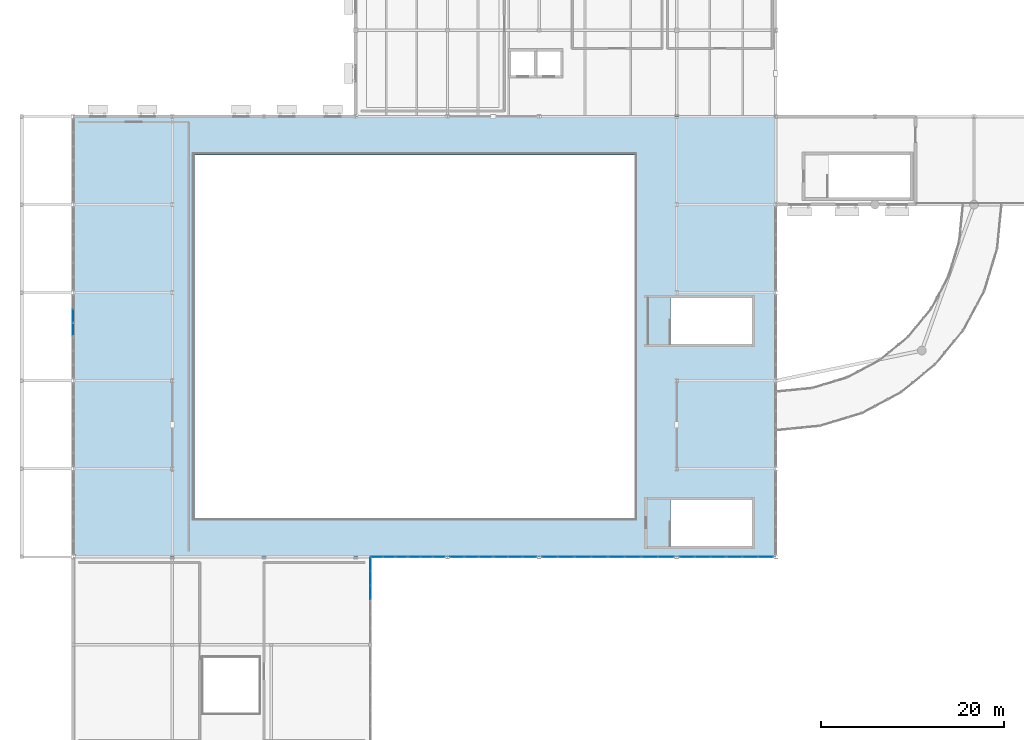
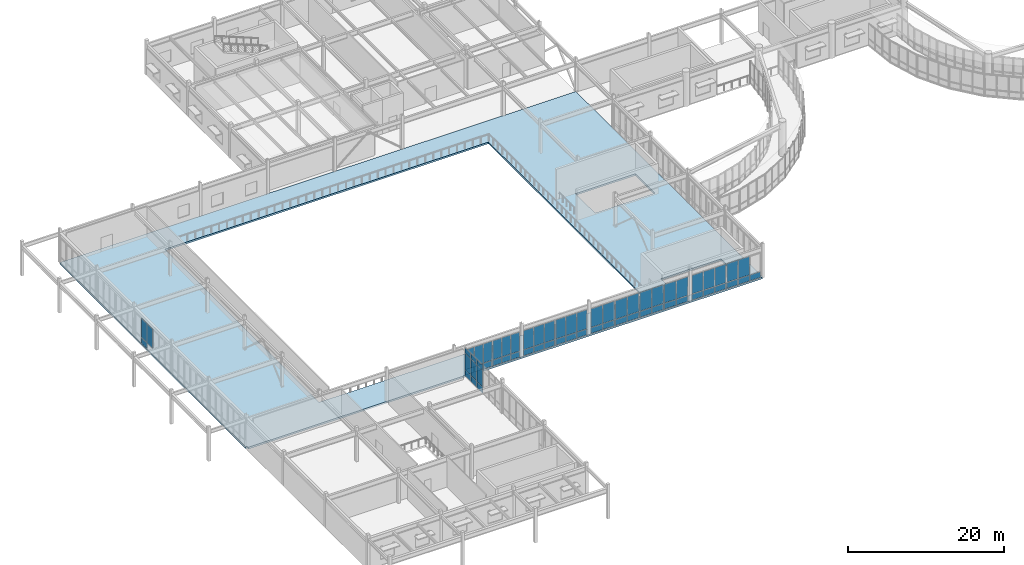
# One storey, part 34 of 68: 63 plates, 1 slab, 12 elements without a shape of their own.
"""IFC4 building model written with IfcOpenShell, lengths in metres."""

import ifcopenshell
import ifcopenshell.guid

model = None  # the IFC model being written
_history = None  # IfcOwnerHistory: only IFC2X3 demands one
_inside = {}  # id of a spatial element -> (the spatial element, [elements in it])
_under = {}  # id of a project, library or spatial element -> (it, [spatial elements below it])
_declared = {}  # id of a project -> (the project, [libraries it declares])
_typed = {}  # id of a type object -> (the type object, [elements of that type])
_made_of = {}  # id of a material, layer set ... -> (it, [elements and type objects made of it])


def new_model(schema):
    """Start an empty IFC model of exactly this schema.

    Asked for "IFC4X3", IfcOpenShell would pick the latest addendum, in which some entities
    have other attributes; the version numbers below select the first issue.
    IFC2X3 requires an IfcOwnerHistory on every rooted entity: one is made here for all.
    """
    global model, _history
    if schema == "IFC4X3":
        model = ifcopenshell.file(schema_version=(4, 3, 0, 0))
    else:
        model = ifcopenshell.file(schema=schema)
    _inside.clear()
    _under.clear()
    _declared.clear()
    _typed.clear()
    _made_of.clear()
    _history = None
    if model.schema == "IFC2X3":
        org = make("IfcOrganization", Name="unknown")
        user = make(
            "IfcPersonAndOrganization",
            ThePerson=make("IfcPerson", FamilyName="unknown"),
            TheOrganization=org,
        )
        app = make(
            "IfcApplication",
            ApplicationDeveloper=org,
            Version="unknown",
            ApplicationFullName="unknown",
            ApplicationIdentifier="unknown",
        )
        _history = make(
            "IfcOwnerHistory",
            OwningUser=user,
            OwningApplication=app,
            ChangeAction="ADDED",
            CreationDate=0,
        )
    return model


def make(cls, **values):
    """One entity of the class cls with the attributes given. An attribute that is None is left unset."""
    return model.create_entity(
        cls, **{name: value for name, value in values.items() if value is not None}
    )


def rooted(cls, **values):
    """An entity with a GlobalId (a new one), such as an element, a storey or a relation."""
    return make(cls, GlobalId=ifcopenshell.guid.new(), OwnerHistory=_history, **values)


def si_unit(unit_type, name, prefix=None):
    """IfcSIUnit, for example si_unit("LENGTHUNIT", "METRE", prefix="MILLI")."""
    return make("IfcSIUnit", UnitType=unit_type, Prefix=prefix, Name=name)


def assignment(units):
    """IfcUnitAssignment: the units of a project."""
    return None if units is None else make("IfcUnitAssignment", Units=units)


def point(xyz):
    """IfcCartesianPoint."""
    return None if xyz is None else make("IfcCartesianPoint", Coordinates=xyz)


def direction(xyz):
    """IfcDirection."""
    return None if xyz is None else make("IfcDirection", DirectionRatios=xyz)


def frame(location, z_axis=None, x_axis=None):
    """IfcAxis2Placement3D, a coordinate frame: its origin and axes. An axis left out is left unset."""
    return make(
        "IfcAxis2Placement3D",
        Location=point(location),
        Axis=direction(z_axis),
        RefDirection=direction(x_axis),
    )


def frame_2d(location, x_axis=None):
    """IfcAxis2Placement2D, a coordinate frame in the plane: its origin and x axis."""
    return make(
        "IfcAxis2Placement2D", Location=point(location), RefDirection=direction(x_axis)
    )


def origin():
    """The frame at (0, 0, 0) with its axes left unset."""
    return frame((0.0, 0.0, 0.0))


def origin_2d():
    """The frame at (0, 0) in the plane with its x axis left unset."""
    return frame_2d((0.0, 0.0))


def place(relative_to, where):
    """IfcLocalPlacement: puts the frame where relative to a parent placement (None: the world)."""
    return make(
        "IfcLocalPlacement", PlacementRelTo=relative_to, RelativePlacement=where
    )


def context(
    kind, dimensions, precision=None, world=None, true_north=None, identifier=None
):
    """IfcGeometricRepresentationContext, for example the 3D "Model" context."""
    return make(
        "IfcGeometricRepresentationContext",
        ContextIdentifier=identifier,
        ContextType=kind,
        CoordinateSpaceDimension=dimensions,
        Precision=precision,
        WorldCoordinateSystem=world,
        TrueNorth=true_north,
    )


def subcontext(parent, identifier, kind, view, scale=None):
    """IfcGeometricRepresentationSubContext, for example "Body" below "Model"."""
    return make(
        "IfcGeometricRepresentationSubContext",
        ContextIdentifier=identifier,
        ContextType=kind,
        ParentContext=parent,
        TargetScale=scale,
        TargetView=view,
    )


def project(units=None, contexts=None):
    """IfcProject with its units and contexts."""
    return rooted(
        "IfcProject",
        Name="project",
        RepresentationContexts=contexts,
        UnitsInContext=assignment(units),
    )


def spatial(cls, under=None, at=None, **own):
    """A site, building, storey or space (cls), placed at a placement, below another one or the project."""
    s = rooted(cls, ObjectPlacement=at, **own)
    if under is not None:
        _under.setdefault(under.id(), (under, []))[1].append(s)
    return s


def polyline(points):
    """IfcPolyline through the points."""
    return make("IfcPolyline", Points=[point(p) for p in points])


def profile(cls, at=None, kind="AREA", **sizes):
    """A parametric profile (cls). Its sizes go by their IFC names, for example OverallWidth=200.0."""
    return make(cls, ProfileType=kind, Position=at, **sizes)


def rectangle(**sizes):
    """IfcRectangleProfileDef."""
    return profile("IfcRectangleProfileDef", **sizes)


def outline(outer, holes=None, kind="AREA"):
    """IfcArbitraryClosedProfileDef: a profile drawn as a closed curve; with holes, ...WithVoids."""
    if holes is None:
        return make("IfcArbitraryClosedProfileDef", ProfileType=kind, OuterCurve=outer)
    return make(
        "IfcArbitraryProfileDefWithVoids",
        ProfileType=kind,
        OuterCurve=outer,
        InnerCurves=holes,
    )


def extrude(swept, where, along, depth):
    """IfcExtrudedAreaSolid: the profile swept, set in the frame where, extruded along a direction by depth."""
    return make(
        "IfcExtrudedAreaSolid",
        SweptArea=swept,
        Position=where,
        ExtrudedDirection=direction(along),
        Depth=depth,
    )


def shape(context_of_items, identifier, shape_type, items):
    """IfcShapeRepresentation: the items that make up one representation, for example the "Body"."""
    return make(
        "IfcShapeRepresentation",
        ContextOfItems=context_of_items,
        RepresentationIdentifier=identifier,
        RepresentationType=shape_type,
        Items=items,
    )


def material(Name=None, Category=None):
    """IfcMaterial."""
    return make("IfcMaterial", Name=Name, Category=Category)


def layer(
    of_material, thickness, ventilated=None, Name=None, Category=None, Priority=None
):
    """IfcMaterialLayer: one layer of a wall or slab, of a material (None: an air gap)."""
    return make(
        "IfcMaterialLayer",
        Material=of_material,
        LayerThickness=thickness,
        IsVentilated=ventilated,
        Name=Name,
        Category=Category,
        Priority=Priority,
    )


def layer_set(layers, Name=None):
    """IfcMaterialLayerSet."""
    return make("IfcMaterialLayerSet", MaterialLayers=layers, LayerSetName=Name)


def made_of(thing, what):
    """Note that an element or type object is made of a material, layer set ...; save() writes the relation."""
    if what is not None:
        _made_of.setdefault(what.id(), (what, []))[1].append(thing)
    return thing


def type_object(cls, material=None, **own):
    """A type object (cls), such as IfcWallType, which elements share."""
    return made_of(rooted(cls, **own), material)


def element(
    cls,
    number,
    at=None,
    inside=None,
    cuts=None,
    type_object=None,
    material=None,
    context=None,
    identifier="Body",
    shape_type=None,
    held_by="IfcProductDefinitionShape",
    body=None,
    shapes=None,
    **own,
):
    """One element of the class cls, such as IfcWall. Its Tag is "e" and its number.

    at: its placement. inside: the storey or other place that contains it. cuts: it is an
    opening in that element (IfcRelVoidsElement). A single representation is given by context,
    identifier, shape_type and body (its items); several are given by shapes. held_by: the class
    of the entity that holds the representations. save() writes the other relations.
    """
    e = rooted(cls, Tag="e%d" % number, ObjectPlacement=at, **own)
    if body is not None:
        shapes = [shape(context, identifier, shape_type, body)]
    if shapes is not None:
        e.Representation = make(held_by, Representations=shapes)
    if inside is not None:
        _inside.setdefault(inside.id(), (inside, []))[1].append(e)
    if cuts is not None:
        rooted(
            "IfcRelVoidsElement", RelatingBuildingElement=cuts, RelatedOpeningElement=e
        )
    if type_object is not None:
        _typed.setdefault(type_object.id(), (type_object, []))[1].append(e)
    return made_of(e, material)


def aggregate(whole, parts):
    """IfcRelAggregates: a whole, such as a stair, and the parts it consists of."""
    return rooted("IfcRelAggregates", RelatingObject=whole, RelatedObjects=parts)


def save(model, path):
    """Write the relations noted so far, then the file.

    IfcRelAggregates (storeys below a building ...), IfcRelContainedInSpatialStructure (elements
    in a storey), IfcRelDefinesByType, IfcRelAssociatesMaterial and IfcRelDeclares: one each for
    every whole, place, type object, material and project.
    """
    for whole, parts in _under.values():
        aggregate(whole, parts)
    for where, things in _inside.values():
        rooted(
            "IfcRelContainedInSpatialStructure",
            RelatedElements=things,
            RelatingStructure=where,
        )
    for kind, things in _typed.values():
        rooted("IfcRelDefinesByType", RelatedObjects=things, RelatingType=kind)
    for what, things in _made_of.values():
        rooted("IfcRelAssociatesMaterial", RelatedObjects=things, RelatingMaterial=what)
    for by, libraries in _declared.values():
        rooted("IfcRelDeclares", RelatingContext=by, RelatedDefinitions=libraries)
    model.write(path)


model = new_model("IFC4")

# Units and contexts
model_context = context("Model", 3, precision=1e-05, world=origin(), true_north=direction((0.0, 1.0)))
body_context = subcontext(model_context, "Body", "Model", "MODEL_VIEW")
ifc_project = project(units=[si_unit("LENGTHUNIT", "METRE"), si_unit("AREAUNIT", "SQUARE_METRE"), si_unit("VOLUMEUNIT", "CUBIC_METRE"), si_unit("PLANEANGLEUNIT", "RADIAN"), si_unit("MASSUNIT", "GRAM", prefix="KILO")], contexts=[model_context])

# Site, building, storey
site_placement = place(None, origin())
site = spatial("IfcSite", under=ifc_project, at=site_placement, CompositionType="ELEMENT")
building_placement = place(site_placement, origin())
building = spatial("IfcBuilding", under=site, at=building_placement, Name="Veldera Park Congress Hotel", CompositionType="ELEMENT")
storey_placement = place(building_placement, frame((0.0, 0.0, 10.800048828125)))
storey = spatial("IfcBuildingStorey", under=building, at=storey_placement, Name="L02", CompositionType="ELEMENT", Elevation=10.800048828125)

# Curtain wall, plates
ifc_material_1 = material(Name="Low-E Triple Insulating Glass Unit (SHGC 0.22)", Category="glass")
curtain_wall_type_1 = type_object("IfcCurtainWallType", Name="CW-CNG", PredefinedType="NOTDEFINED", material=ifc_material_1)
curtain_wall_1_placement = place(storey_placement, origin())
curtain_wall_1 = element("IfcCurtainWall", 1, at=curtain_wall_1_placement, inside=storey, type_object=curtain_wall_type_1, Name="L02 Curtain Wall CW3-V1S-L02-055", PredefinedType="NOTDEFINED")
ifc_layer_1 = layer(ifc_material_1, 0.028076171875)
ifc_layer_set_1 = layer_set([ifc_layer_1], Name="Low-E Triple Insulating Glass Unit (SHGC 0.22)")
plate_type_1 = type_object("IfcPlateType", Name="CWP-IGU28", PredefinedType="CURTAIN_PANEL", material=ifc_layer_set_1)
plate_1_placement = place(storey_placement, frame((-45.08984375, -21.0, 0.0751953125), z_axis=(0.0, 0.0, 1.0), x_axis=(1.0, 0.0, 0.0)))
plate_1 = element("IfcPlate", 2, at=plate_1_placement, type_object=plate_type_1, Name="CW-CNG panel 1.1", PredefinedType="CURTAIN_PANEL", context=body_context, shape_type="SweptSolid", body=[
    extrude(rectangle(XDim=1.240478515625, YDim=0.028076171875, at=origin_2d()), origin(), (0.0, 0.0, 1.0), 0.887451171875),
])
plate_2_placement = place(storey_placement, frame((-45.08984375, -21.0, 1.03759765625), z_axis=(0.0, 0.0, 1.0), x_axis=(1.0, 0.0, 0.0)))
plate_2 = element("IfcPlate", 3, at=plate_2_placement, type_object=plate_type_1, Name="CW-CNG panel 1.2", PredefinedType="CURTAIN_PANEL", context=body_context, shape_type="SweptSolid", body=[
    extrude(rectangle(XDim=1.240478515625, YDim=0.028076171875, at=origin_2d()), origin(), (0.0, 0.0, 1.0), 2.9814453125),
])
plate_3_placement = place(storey_placement, frame((-43.755615234375, -21.0, 0.0751953125), z_axis=(0.0, 0.0, 1.0), x_axis=(1.0, 0.0, 0.0)))
plate_3 = element("IfcPlate", 4, at=plate_3_placement, type_object=plate_type_1, Name="CW-CNG panel 2.1", PredefinedType="CURTAIN_PANEL", context=body_context, shape_type="SweptSolid", body=[
    extrude(rectangle(XDim=1.278076171875, YDim=0.028076171875, at=origin_2d()), origin(), (0.0, 0.0, 1.0), 0.887451171875),
])
plate_4_placement = place(storey_placement, frame((-43.755615234375, -21.0, 1.03759765625), z_axis=(0.0, 0.0, 1.0), x_axis=(1.0, 0.0, 0.0)))
plate_4 = element("IfcPlate", 5, at=plate_4_placement, type_object=plate_type_1, Name="CW-CNG panel 2.2", PredefinedType="CURTAIN_PANEL", context=body_context, shape_type="SweptSolid", body=[
    extrude(rectangle(XDim=1.278076171875, YDim=0.028076171875, at=origin_2d()), origin(), (0.0, 0.0, 1.0), 2.9814453125),
])
plate_5_placement = place(storey_placement, frame((-42.421142578125, -21.0, 0.0751953125), z_axis=(0.0, 0.0, 1.0), x_axis=(1.0, 0.0, 0.0)))
plate_5 = element("IfcPlate", 6, at=plate_5_placement, type_object=plate_type_1, Name="CW-CNG panel 3.1", PredefinedType="CURTAIN_PANEL", context=body_context, shape_type="SweptSolid", body=[
    extrude(rectangle(XDim=1.240478515625, YDim=0.028076171875, at=origin_2d()), origin(), (0.0, 0.0, 1.0), 0.887451171875),
])
plate_6_placement = place(storey_placement, frame((-42.421142578125, -21.0, 1.03759765625), z_axis=(0.0, 0.0, 1.0), x_axis=(1.0, 0.0, 0.0)))
plate_6 = element("IfcPlate", 7, at=plate_6_placement, type_object=plate_type_1, Name="CW-CNG panel 3.2", PredefinedType="CURTAIN_PANEL", context=body_context, shape_type="SweptSolid", body=[
    extrude(rectangle(XDim=1.240478515625, YDim=0.028076171875, at=origin_2d()), origin(), (0.0, 0.0, 1.0), 2.9814453125),
])
aggregate(curtain_wall_1, [plate_1, plate_2, plate_3, plate_4, plate_5, plate_6])

curtain_wall_2_placement = place(storey_placement, origin())
curtain_wall_2 = element("IfcCurtainWall", 8, at=curtain_wall_2_placement, inside=storey, type_object=curtain_wall_type_1, Name="L02 Curtain Wall CW3-V1S-L02-056", PredefinedType="NOTDEFINED")
plate_7_placement = place(storey_placement, frame((-41.000732421875, -21.0, 0.0751953125), z_axis=(0.0, 0.0, 1.0), x_axis=(1.0, 0.0, 0.0)))
plate_7 = element("IfcPlate", 9, at=plate_7_placement, type_object=plate_type_1, Name="CW-CNG panel 1.1", PredefinedType="CURTAIN_PANEL", context=body_context, shape_type="SweptSolid", body=[
    extrude(rectangle(XDim=1.240478515625, YDim=0.028076171875, at=origin_2d()), origin(), (0.0, 0.0, 1.0), 0.887451171875),
])
plate_8_placement = place(storey_placement, frame((-41.000732421875, -21.0, 1.03759765625), z_axis=(0.0, 0.0, 1.0), x_axis=(1.0, 0.0, 0.0)))
plate_8 = element("IfcPlate", 10, at=plate_8_placement, type_object=plate_type_1, Name="CW-CNG panel 1.2", PredefinedType="CURTAIN_PANEL", context=body_context, shape_type="SweptSolid", body=[
    extrude(rectangle(XDim=1.240478515625, YDim=0.028076171875, at=origin_2d()), origin(), (0.0, 0.0, 1.0), 2.9814453125),
])
plate_9_placement = place(storey_placement, frame((-39.66650390625, -21.0, 0.0751953125), z_axis=(0.0, 0.0, 1.0), x_axis=(1.0, 0.0, 0.0)))
plate_9 = element("IfcPlate", 11, at=plate_9_placement, type_object=plate_type_1, Name="CW-CNG panel 2.1", PredefinedType="CURTAIN_PANEL", context=body_context, shape_type="SweptSolid", body=[
    extrude(rectangle(XDim=1.278076171875, YDim=0.028076171875, at=origin_2d()), origin(), (0.0, 0.0, 1.0), 0.887451171875),
])
plate_10_placement = place(storey_placement, frame((-39.66650390625, -21.0, 1.03759765625), z_axis=(0.0, 0.0, 1.0), x_axis=(1.0, 0.0, 0.0)))
plate_10 = element("IfcPlate", 12, at=plate_10_placement, type_object=plate_type_1, Name="CW-CNG panel 2.2", PredefinedType="CURTAIN_PANEL", context=body_context, shape_type="SweptSolid", body=[
    extrude(rectangle(XDim=1.278076171875, YDim=0.028076171875, at=origin_2d()), origin(), (0.0, 0.0, 1.0), 2.9814453125),
])
plate_11_placement = place(storey_placement, frame((-38.332275390625, -21.0, 0.0751953125), z_axis=(0.0, 0.0, 1.0), x_axis=(1.0, 0.0, 0.0)))
plate_11 = element("IfcPlate", 13, at=plate_11_placement, type_object=plate_type_1, Name="CW-CNG panel 3.1", PredefinedType="CURTAIN_PANEL", context=body_context, shape_type="SweptSolid", body=[
    extrude(rectangle(XDim=1.240478515625, YDim=0.028076171875, at=origin_2d()), origin(), (0.0, 0.0, 1.0), 0.887451171875),
])
plate_12_placement = place(storey_placement, frame((-38.332275390625, -21.0, 1.03759765625), z_axis=(0.0, 0.0, 1.0), x_axis=(1.0, 0.0, 0.0)))
plate_12 = element("IfcPlate", 14, at=plate_12_placement, type_object=plate_type_1, Name="CW-CNG panel 3.2", PredefinedType="CURTAIN_PANEL", context=body_context, shape_type="SweptSolid", body=[
    extrude(rectangle(XDim=1.240478515625, YDim=0.028076171875, at=origin_2d()), origin(), (0.0, 0.0, 1.0), 2.9814453125),
])
aggregate(curtain_wall_2, [plate_7, plate_8, plate_9, plate_10, plate_11, plate_12])

curtain_wall_3_placement = place(storey_placement, origin())
curtain_wall_3 = element("IfcCurtainWall", 15, at=curtain_wall_3_placement, inside=storey, type_object=curtain_wall_type_1, Name="L02 Curtain Wall CW3-V1S-L02-057", PredefinedType="NOTDEFINED")
plate_13_placement = place(storey_placement, frame((-36.35302734375, -21.0, 0.0751953125), z_axis=(0.0, 0.0, 1.0), x_axis=(1.0, 0.0, 0.0)))
plate_13 = element("IfcPlate", 16, at=plate_13_placement, type_object=plate_type_1, Name="CW-CNG panel 1.1", PredefinedType="CURTAIN_PANEL", context=body_context, shape_type="SweptSolid", body=[
    extrude(rectangle(XDim=1.47021484375, YDim=0.028076171875, at=origin_2d()), origin(), (0.0, 0.0, 1.0), 0.887451171875),
])
plate_14_placement = place(storey_placement, frame((-36.35302734375, -21.0, 1.03759765625), z_axis=(0.0, 0.0, 1.0), x_axis=(1.0, 0.0, 0.0)))
plate_14 = element("IfcPlate", 17, at=plate_14_placement, type_object=plate_type_1, Name="CW-CNG panel 1.2", PredefinedType="CURTAIN_PANEL", context=body_context, shape_type="SweptSolid", body=[
    extrude(rectangle(XDim=1.47021484375, YDim=0.028076171875, at=origin_2d()), origin(), (0.0, 0.0, 1.0), 2.9814453125),
])
plate_15_placement = place(storey_placement, frame((-34.7890625, -21.0, 0.0751953125), z_axis=(0.0, 0.0, 1.0), x_axis=(1.0, 0.0, 0.0)))
plate_15 = element("IfcPlate", 18, at=plate_15_placement, type_object=plate_type_1, Name="CW-CNG panel 2.1", PredefinedType="CURTAIN_PANEL", context=body_context, shape_type="SweptSolid", body=[
    extrude(rectangle(XDim=1.507568359375, YDim=0.028076171875, at=origin_2d()), origin(), (0.0, 0.0, 1.0), 0.887451171875),
])
plate_16_placement = place(storey_placement, frame((-34.7890625, -21.0, 1.03759765625), z_axis=(0.0, 0.0, 1.0), x_axis=(1.0, 0.0, 0.0)))
plate_16 = element("IfcPlate", 19, at=plate_16_placement, type_object=plate_type_1, Name="CW-CNG panel 2.2", PredefinedType="CURTAIN_PANEL", context=body_context, shape_type="SweptSolid", body=[
    extrude(rectangle(XDim=1.507568359375, YDim=0.028076171875, at=origin_2d()), origin(), (0.0, 0.0, 1.0), 2.9814453125),
])
plate_17_placement = place(storey_placement, frame((-33.22509765625, -21.0, 0.0751953125), z_axis=(0.0, 0.0, 1.0), x_axis=(1.0, 0.0, 0.0)))
plate_17 = element("IfcPlate", 20, at=plate_17_placement, type_object=plate_type_1, Name="CW-CNG panel 3.1", PredefinedType="CURTAIN_PANEL", context=body_context, shape_type="SweptSolid", body=[
    extrude(rectangle(XDim=1.47021484375, YDim=0.028076171875, at=origin_2d()), origin(), (0.0, 0.0, 1.0), 0.887451171875),
])
plate_18_placement = place(storey_placement, frame((-33.22509765625, -21.0, 1.03759765625), z_axis=(0.0, 0.0, 1.0), x_axis=(1.0, 0.0, 0.0)))
plate_18 = element("IfcPlate", 21, at=plate_18_placement, type_object=plate_type_1, Name="CW-CNG panel 3.2", PredefinedType="CURTAIN_PANEL", context=body_context, shape_type="SweptSolid", body=[
    extrude(rectangle(XDim=1.47021484375, YDim=0.028076171875, at=origin_2d()), origin(), (0.0, 0.0, 1.0), 2.9814453125),
])
aggregate(curtain_wall_3, [plate_13, plate_14, plate_15, plate_16, plate_17, plate_18])

curtain_wall_4_placement = place(storey_placement, origin())
curtain_wall_4 = element("IfcCurtainWall", 22, at=curtain_wall_4_placement, inside=storey, type_object=curtain_wall_type_1, Name="L02 Curtain Wall CW3-V1S-L02-058", PredefinedType="NOTDEFINED")
plate_19_placement = place(storey_placement, frame((-31.574951171875, -21.0, 0.0751953125), z_axis=(0.0, 0.0, 1.0), x_axis=(1.0, 0.0, 0.0)))
plate_19 = element("IfcPlate", 23, at=plate_19_placement, type_object=plate_type_1, Name="CW-CNG panel 1.1", PredefinedType="CURTAIN_PANEL", context=body_context, shape_type="SweptSolid", body=[
    extrude(rectangle(XDim=1.47021484375, YDim=0.028076171875, at=origin_2d()), origin(), (0.0, 0.0, 1.0), 0.887451171875),
])
plate_20_placement = place(storey_placement, frame((-31.574951171875, -21.0, 1.03759765625), z_axis=(0.0, 0.0, 1.0), x_axis=(1.0, 0.0, 0.0)))
plate_20 = element("IfcPlate", 24, at=plate_20_placement, type_object=plate_type_1, Name="CW-CNG panel 1.2", PredefinedType="CURTAIN_PANEL", context=body_context, shape_type="SweptSolid", body=[
    extrude(rectangle(XDim=1.47021484375, YDim=0.028076171875, at=origin_2d()), origin(), (0.0, 0.0, 1.0), 2.9814453125),
])
plate_21_placement = place(storey_placement, frame((-30.010986328125, -21.0, 0.0751953125), z_axis=(0.0, 0.0, 1.0), x_axis=(1.0, 0.0, 0.0)))
plate_21 = element("IfcPlate", 25, at=plate_21_placement, type_object=plate_type_1, Name="CW-CNG panel 2.1", PredefinedType="CURTAIN_PANEL", context=body_context, shape_type="SweptSolid", body=[
    extrude(rectangle(XDim=1.507568359375, YDim=0.028076171875, at=origin_2d()), origin(), (0.0, 0.0, 1.0), 0.887451171875),
])
plate_22_placement = place(storey_placement, frame((-30.010986328125, -21.0, 1.03759765625), z_axis=(0.0, 0.0, 1.0), x_axis=(1.0, 0.0, 0.0)))
plate_22 = element("IfcPlate", 26, at=plate_22_placement, type_object=plate_type_1, Name="CW-CNG panel 2.2", PredefinedType="CURTAIN_PANEL", context=body_context, shape_type="SweptSolid", body=[
    extrude(rectangle(XDim=1.507568359375, YDim=0.028076171875, at=origin_2d()), origin(), (0.0, 0.0, 1.0), 2.9814453125),
])
plate_23_placement = place(storey_placement, frame((-28.447021484375, -21.0, 0.0751953125), z_axis=(0.0, 0.0, 1.0), x_axis=(1.0, 0.0, 0.0)))
plate_23 = element("IfcPlate", 27, at=plate_23_placement, type_object=plate_type_1, Name="CW-CNG panel 3.1", PredefinedType="CURTAIN_PANEL", context=body_context, shape_type="SweptSolid", body=[
    extrude(rectangle(XDim=1.47021484375, YDim=0.028076171875, at=origin_2d()), origin(), (0.0, 0.0, 1.0), 0.887451171875),
])
plate_24_placement = place(storey_placement, frame((-28.447021484375, -21.0, 1.03759765625), z_axis=(0.0, 0.0, 1.0), x_axis=(1.0, 0.0, 0.0)))
plate_24 = element("IfcPlate", 28, at=plate_24_placement, type_object=plate_type_1, Name="CW-CNG panel 3.2", PredefinedType="CURTAIN_PANEL", context=body_context, shape_type="SweptSolid", body=[
    extrude(rectangle(XDim=1.47021484375, YDim=0.028076171875, at=origin_2d()), origin(), (0.0, 0.0, 1.0), 2.9814453125),
])
aggregate(curtain_wall_4, [plate_19, plate_20, plate_21, plate_22, plate_23, plate_24])

curtain_wall_5_placement = place(storey_placement, origin())
curtain_wall_5 = element("IfcCurtainWall", 29, at=curtain_wall_5_placement, inside=storey, type_object=curtain_wall_type_1, Name="L02 Curtain Wall CW3-V1S-L02-059", PredefinedType="NOTDEFINED")
plate_25_placement = place(storey_placement, frame((-26.2421875, -21.0, 0.0751953125), z_axis=(0.0, 0.0, 1.0), x_axis=(1.0, 0.0, 0.0)))
plate_25 = element("IfcPlate", 30, at=plate_25_placement, type_object=plate_type_1, Name="CW-CNG panel 1.1", PredefinedType="CURTAIN_PANEL", context=body_context, shape_type="SweptSolid", body=[
    extrude(rectangle(XDim=1.691650390625, YDim=0.028076171875, at=origin_2d()), origin(), (0.0, 0.0, 1.0), 0.887451171875),
])
plate_26_placement = place(storey_placement, frame((-26.2421875, -21.0, 1.03759765625), z_axis=(0.0, 0.0, 1.0), x_axis=(1.0, 0.0, 0.0)))
plate_26 = element("IfcPlate", 31, at=plate_26_placement, type_object=plate_type_1, Name="CW-CNG panel 1.2", PredefinedType="CURTAIN_PANEL", context=body_context, shape_type="SweptSolid", body=[
    extrude(rectangle(XDim=1.691650390625, YDim=0.028076171875, at=origin_2d()), origin(), (0.0, 0.0, 1.0), 2.903564453125),
])
plate_27_placement = place(storey_placement, frame((-24.475341796875, -21.0, 0.0751953125), z_axis=(0.0, 0.0, 1.0), x_axis=(1.0, 0.0, 0.0)))
plate_27 = element("IfcPlate", 32, at=plate_27_placement, type_object=plate_type_1, Name="CW-CNG panel 2.1", PredefinedType="CURTAIN_PANEL", context=body_context, shape_type="SweptSolid", body=[
    extrude(rectangle(XDim=1.691650390625, YDim=0.028076171875, at=origin_2d()), origin(), (0.0, 0.0, 1.0), 0.887451171875),
])
plate_28_placement = place(storey_placement, frame((-24.475341796875, -21.0, 1.03759765625), z_axis=(0.0, 0.0, 1.0), x_axis=(1.0, 0.0, 0.0)))
plate_28 = element("IfcPlate", 33, at=plate_28_placement, type_object=plate_type_1, Name="CW-CNG panel 2.2", PredefinedType="CURTAIN_PANEL", context=body_context, shape_type="SweptSolid", body=[
    extrude(rectangle(XDim=1.691650390625, YDim=0.028076171875, at=origin_2d()), origin(), (0.0, 0.0, 1.0), 2.903564453125),
])
aggregate(curtain_wall_5, [plate_25, plate_26, plate_27, plate_28])

curtain_wall_6_placement = place(storey_placement, origin())
curtain_wall_6 = element("IfcCurtainWall", 34, at=curtain_wall_6_placement, inside=storey, type_object=curtain_wall_type_1, Name="L02 Curtain Wall CW3-V1S-L02-060", PredefinedType="NOTDEFINED")
plate_29_placement = place(storey_placement, frame((-22.603759765625, -21.0, 0.0751953125), z_axis=(0.0, 0.0, 1.0), x_axis=(1.0, 0.0, 0.0)))
plate_29 = element("IfcPlate", 35, at=plate_29_placement, type_object=plate_type_1, Name="CW-CNG panel 1.1", PredefinedType="CURTAIN_PANEL", context=body_context, shape_type="SweptSolid", body=[
    extrude(rectangle(XDim=1.691650390625, YDim=0.028076171875, at=origin_2d()), origin(), (0.0, 0.0, 1.0), 0.887451171875),
])
plate_30_placement = place(storey_placement, frame((-22.603759765625, -21.0, 1.03759765625), z_axis=(0.0, 0.0, 1.0), x_axis=(1.0, 0.0, 0.0)))
plate_30 = element("IfcPlate", 36, at=plate_30_placement, type_object=plate_type_1, Name="CW-CNG panel 1.2", PredefinedType="CURTAIN_PANEL", context=body_context, shape_type="SweptSolid", body=[
    extrude(rectangle(XDim=1.691650390625, YDim=0.028076171875, at=origin_2d()), origin(), (0.0, 0.0, 1.0), 2.903564453125),
])
plate_31_placement = place(storey_placement, frame((-20.837158203125, -21.0, 0.0751953125), z_axis=(0.0, 0.0, 1.0), x_axis=(1.0, 0.0, 0.0)))
plate_31 = element("IfcPlate", 37, at=plate_31_placement, type_object=plate_type_1, Name="CW-CNG panel 2.1", PredefinedType="CURTAIN_PANEL", context=body_context, shape_type="SweptSolid", body=[
    extrude(rectangle(XDim=1.691650390625, YDim=0.028076171875, at=origin_2d()), origin(), (0.0, 0.0, 1.0), 0.887451171875),
])
plate_32_placement = place(storey_placement, frame((-20.837158203125, -21.0, 1.03759765625), z_axis=(0.0, 0.0, 1.0), x_axis=(1.0, 0.0, 0.0)))
plate_32 = element("IfcPlate", 38, at=plate_32_placement, type_object=plate_type_1, Name="CW-CNG panel 2.2", PredefinedType="CURTAIN_PANEL", context=body_context, shape_type="SweptSolid", body=[
    extrude(rectangle(XDim=1.691650390625, YDim=0.028076171875, at=origin_2d()), origin(), (0.0, 0.0, 1.0), 2.903564453125),
])
aggregate(curtain_wall_6, [plate_29, plate_30, plate_31, plate_32])

curtain_wall_7_placement = place(storey_placement, origin())
curtain_wall_7 = element("IfcCurtainWall", 39, at=curtain_wall_7_placement, inside=storey, type_object=curtain_wall_type_1, Name="L02 Curtain Wall CW3-V1S-L02-061", PredefinedType="NOTDEFINED")
plate_33_placement = place(storey_placement, frame((-18.96533203125, -21.0, 0.0751953125), z_axis=(0.0, 0.0, 1.0), x_axis=(1.0, 0.0, 0.0)))
plate_33 = element("IfcPlate", 40, at=plate_33_placement, type_object=plate_type_1, Name="CW-CNG panel 1.1", PredefinedType="CURTAIN_PANEL", context=body_context, shape_type="SweptSolid", body=[
    extrude(rectangle(XDim=1.691650390625, YDim=0.028076171875, at=origin_2d()), origin(), (0.0, 0.0, 1.0), 0.887451171875),
])
plate_34_placement = place(storey_placement, frame((-18.96533203125, -21.0, 1.03759765625), z_axis=(0.0, 0.0, 1.0), x_axis=(1.0, 0.0, 0.0)))
plate_34 = element("IfcPlate", 41, at=plate_34_placement, type_object=plate_type_1, Name="CW-CNG panel 1.2", PredefinedType="CURTAIN_PANEL", context=body_context, shape_type="SweptSolid", body=[
    extrude(rectangle(XDim=1.691650390625, YDim=0.028076171875, at=origin_2d()), origin(), (0.0, 0.0, 1.0), 2.903564453125),
])
plate_35_placement = place(storey_placement, frame((-17.19873046875, -21.0, 0.0751953125), z_axis=(0.0, 0.0, 1.0), x_axis=(1.0, 0.0, 0.0)))
plate_35 = element("IfcPlate", 42, at=plate_35_placement, type_object=plate_type_1, Name="CW-CNG panel 2.1", PredefinedType="CURTAIN_PANEL", context=body_context, shape_type="SweptSolid", body=[
    extrude(rectangle(XDim=1.691650390625, YDim=0.028076171875, at=origin_2d()), origin(), (0.0, 0.0, 1.0), 0.887451171875),
])
plate_36_placement = place(storey_placement, frame((-17.19873046875, -21.0, 1.03759765625), z_axis=(0.0, 0.0, 1.0), x_axis=(1.0, 0.0, 0.0)))
plate_36 = element("IfcPlate", 43, at=plate_36_placement, type_object=plate_type_1, Name="CW-CNG panel 2.2", PredefinedType="CURTAIN_PANEL", context=body_context, shape_type="SweptSolid", body=[
    extrude(rectangle(XDim=1.691650390625, YDim=0.028076171875, at=origin_2d()), origin(), (0.0, 0.0, 1.0), 2.903564453125),
])
aggregate(curtain_wall_7, [plate_33, plate_34, plate_35, plate_36])

curtain_wall_8_placement = place(storey_placement, origin())
curtain_wall_8 = element("IfcCurtainWall", 44, at=curtain_wall_8_placement, inside=storey, type_object=curtain_wall_type_1, Name="L02 Curtain Wall CW3-V1S-L02-062", PredefinedType="NOTDEFINED")
plate_37_placement = place(storey_placement, frame((-15.326904296875, -21.0, 0.0751953125), z_axis=(0.0, 0.0, 1.0), x_axis=(1.0, 0.0, 0.0)))
plate_37 = element("IfcPlate", 45, at=plate_37_placement, type_object=plate_type_1, Name="CW-CNG panel 1.1", PredefinedType="CURTAIN_PANEL", context=body_context, shape_type="SweptSolid", body=[
    extrude(rectangle(XDim=1.691650390625, YDim=0.028076171875, at=origin_2d()), origin(), (0.0, 0.0, 1.0), 0.887451171875),
])
plate_38_placement = place(storey_placement, frame((-15.326904296875, -21.0, 1.03759765625), z_axis=(0.0, 0.0, 1.0), x_axis=(1.0, 0.0, 0.0)))
plate_38 = element("IfcPlate", 46, at=plate_38_placement, type_object=plate_type_1, Name="CW-CNG panel 1.2", PredefinedType="CURTAIN_PANEL", context=body_context, shape_type="SweptSolid", body=[
    extrude(rectangle(XDim=1.691650390625, YDim=0.028076171875, at=origin_2d()), origin(), (0.0, 0.0, 1.0), 2.903564453125),
])
plate_39_placement = place(storey_placement, frame((-13.560302734375, -21.0, 0.0751953125), z_axis=(0.0, 0.0, 1.0), x_axis=(1.0, 0.0, 0.0)))
plate_39 = element("IfcPlate", 47, at=plate_39_placement, type_object=plate_type_1, Name="CW-CNG panel 2.1", PredefinedType="CURTAIN_PANEL", context=body_context, shape_type="SweptSolid", body=[
    extrude(rectangle(XDim=1.691650390625, YDim=0.028076171875, at=origin_2d()), origin(), (0.0, 0.0, 1.0), 0.887451171875),
])
plate_40_placement = place(storey_placement, frame((-13.560302734375, -21.0, 1.03759765625), z_axis=(0.0, 0.0, 1.0), x_axis=(1.0, 0.0, 0.0)))
plate_40 = element("IfcPlate", 48, at=plate_40_placement, type_object=plate_type_1, Name="CW-CNG panel 2.2", PredefinedType="CURTAIN_PANEL", context=body_context, shape_type="SweptSolid", body=[
    extrude(rectangle(XDim=1.691650390625, YDim=0.028076171875, at=origin_2d()), origin(), (0.0, 0.0, 1.0), 2.903564453125),
])
aggregate(curtain_wall_8, [plate_37, plate_38, plate_39, plate_40])

curtain_wall_9_placement = place(storey_placement, origin())
curtain_wall_9 = element("IfcCurtainWall", 49, at=curtain_wall_9_placement, inside=storey, type_object=curtain_wall_type_1, Name="L02 Curtain Wall CW3-V1S-L02-063", PredefinedType="NOTDEFINED")
plate_41_placement = place(storey_placement, frame((-11.283203125, -21.0, 0.0751953125), z_axis=(0.0, 0.0, 1.0), x_axis=(1.0, 0.0, 0.0)))
plate_41 = element("IfcPlate", 50, at=plate_41_placement, type_object=plate_type_1, Name="CW-CNG panel 1.1", PredefinedType="CURTAIN_PANEL", context=body_context, shape_type="SweptSolid", body=[
    extrude(rectangle(XDim=1.604736328125, YDim=0.028076171875, at=origin_2d()), origin(), (0.0, 0.0, 1.0), 0.887451171875),
])
plate_42_placement = place(storey_placement, frame((-11.283203125, -21.0, 1.03759765625), z_axis=(0.0, 0.0, 1.0), x_axis=(1.0, 0.0, 0.0)))
plate_42 = element("IfcPlate", 51, at=plate_42_placement, type_object=plate_type_1, Name="CW-CNG panel 1.2", PredefinedType="CURTAIN_PANEL", context=body_context, shape_type="SweptSolid", body=[
    extrude(rectangle(XDim=1.604736328125, YDim=0.028076171875, at=origin_2d()), origin(), (0.0, 0.0, 1.0), 2.903564453125),
])
plate_43_placement = place(storey_placement, frame((-9.58447265625, -21.0, 0.0751953125), z_axis=(0.0, 0.0, 1.0), x_axis=(1.0, 0.0, 0.0)))
plate_43 = element("IfcPlate", 52, at=plate_43_placement, type_object=plate_type_1, Name="CW-CNG panel 2.1", PredefinedType="CURTAIN_PANEL", context=body_context, shape_type="SweptSolid", body=[
    extrude(rectangle(XDim=1.642333984375, YDim=0.028076171875, at=origin_2d()), origin(), (0.0, 0.0, 1.0), 0.887451171875),
])
plate_44_placement = place(storey_placement, frame((-9.58447265625, -21.0, 1.03759765625), z_axis=(0.0, 0.0, 1.0), x_axis=(1.0, 0.0, 0.0)))
plate_44 = element("IfcPlate", 53, at=plate_44_placement, type_object=plate_type_1, Name="CW-CNG panel 2.2", PredefinedType="CURTAIN_PANEL", context=body_context, shape_type="SweptSolid", body=[
    extrude(rectangle(XDim=1.642333984375, YDim=0.028076171875, at=origin_2d()), origin(), (0.0, 0.0, 1.0), 2.903564453125),
])
plate_45_placement = place(storey_placement, frame((-7.885986328125, -21.0, 0.0751953125), z_axis=(0.0, 0.0, 1.0), x_axis=(1.0, 0.0, 0.0)))
plate_45 = element("IfcPlate", 54, at=plate_45_placement, type_object=plate_type_1, Name="CW-CNG panel 3.1", PredefinedType="CURTAIN_PANEL", context=body_context, shape_type="SweptSolid", body=[
    extrude(rectangle(XDim=1.604736328125, YDim=0.028076171875, at=origin_2d()), origin(), (0.0, 0.0, 1.0), 0.887451171875),
])
plate_46_placement = place(storey_placement, frame((-7.885986328125, -21.0, 1.03759765625), z_axis=(0.0, 0.0, 1.0), x_axis=(1.0, 0.0, 0.0)))
plate_46 = element("IfcPlate", 55, at=plate_46_placement, type_object=plate_type_1, Name="CW-CNG panel 3.2", PredefinedType="CURTAIN_PANEL", context=body_context, shape_type="SweptSolid", body=[
    extrude(rectangle(XDim=1.604736328125, YDim=0.028076171875, at=origin_2d()), origin(), (0.0, 0.0, 1.0), 2.903564453125),
])
aggregate(curtain_wall_9, [plate_41, plate_42, plate_43, plate_44, plate_45, plate_46])

curtain_wall_10_placement = place(storey_placement, origin())
curtain_wall_10 = element("IfcCurtainWall", 56, at=curtain_wall_10_placement, inside=storey, type_object=curtain_wall_type_1, Name="L02 Curtain Wall CW3-V1S-L02-064", PredefinedType="NOTDEFINED")
plate_47_placement = place(storey_placement, frame((-6.10107421875, -21.0, 0.0751953125), z_axis=(0.0, 0.0, 1.0), x_axis=(1.0, 0.0, 0.0)))
plate_47 = element("IfcPlate", 57, at=plate_47_placement, type_object=plate_type_1, Name="CW-CNG panel 1.1", PredefinedType="CURTAIN_PANEL", context=body_context, shape_type="SweptSolid", body=[
    extrude(rectangle(XDim=1.604736328125, YDim=0.028076171875, at=origin_2d()), origin(), (0.0, 0.0, 1.0), 0.887451171875),
])
plate_48_placement = place(storey_placement, frame((-6.10107421875, -21.0, 1.03759765625), z_axis=(0.0, 0.0, 1.0), x_axis=(1.0, 0.0, 0.0)))
plate_48 = element("IfcPlate", 58, at=plate_48_placement, type_object=plate_type_1, Name="CW-CNG panel 1.2", PredefinedType="CURTAIN_PANEL", context=body_context, shape_type="SweptSolid", body=[
    extrude(rectangle(XDim=1.604736328125, YDim=0.028076171875, at=origin_2d()), origin(), (0.0, 0.0, 1.0), 2.903564453125),
])
plate_49_placement = place(storey_placement, frame((-4.402587890625, -21.0, 0.0751953125), z_axis=(0.0, 0.0, 1.0), x_axis=(1.0, 0.0, 0.0)))
plate_49 = element("IfcPlate", 59, at=plate_49_placement, type_object=plate_type_1, Name="CW-CNG panel 2.1", PredefinedType="CURTAIN_PANEL", context=body_context, shape_type="SweptSolid", body=[
    extrude(rectangle(XDim=1.642333984375, YDim=0.028076171875, at=origin_2d()), origin(), (0.0, 0.0, 1.0), 0.887451171875),
])
plate_50_placement = place(storey_placement, frame((-4.402587890625, -21.0, 1.03759765625), z_axis=(0.0, 0.0, 1.0), x_axis=(1.0, 0.0, 0.0)))
plate_50 = element("IfcPlate", 60, at=plate_50_placement, type_object=plate_type_1, Name="CW-CNG panel 2.2", PredefinedType="CURTAIN_PANEL", context=body_context, shape_type="SweptSolid", body=[
    extrude(rectangle(XDim=1.642333984375, YDim=0.028076171875, at=origin_2d()), origin(), (0.0, 0.0, 1.0), 2.903564453125),
])
plate_51_placement = place(storey_placement, frame((-2.703857421875, -21.0, 0.0751953125), z_axis=(0.0, 0.0, 1.0), x_axis=(1.0, 0.0, 0.0)))
plate_51 = element("IfcPlate", 61, at=plate_51_placement, type_object=plate_type_1, Name="CW-CNG panel 3.1", PredefinedType="CURTAIN_PANEL", context=body_context, shape_type="SweptSolid", body=[
    extrude(rectangle(XDim=1.604736328125, YDim=0.028076171875, at=origin_2d()), origin(), (0.0, 0.0, 1.0), 0.887451171875),
])
aggregate(curtain_wall_10, [plate_47, plate_48, plate_49, plate_50, plate_51])

curtain_wall_11_placement = place(storey_placement, origin())
curtain_wall_11 = element("IfcCurtainWall", 62, at=curtain_wall_11_placement, inside=storey, type_object=curtain_wall_type_1, Name="L02 Curtain Wall CW3-V1W-L02-049", PredefinedType="NOTDEFINED")
ifc_layer_2 = layer(ifc_material_1, 0.035888671875)
ifc_layer_set_2 = layer_set([ifc_layer_2], Name="Low-E Triple Insulating Glass Unit (SHGC 0.22)")
plate_type_2 = type_object("IfcPlateType", Name="CWP-IGU36", PredefinedType="CURTAIN_PANEL", material=ifc_layer_set_2)
plate_52_placement = place(storey_placement, frame((-78.199951171875, 5.29541015625, 0.0751953125), z_axis=(0.0, 0.0, 1.0), x_axis=(0.0, -1.0, 0.0)))
plate_52 = element("IfcPlate", 63, at=plate_52_placement, type_object=plate_type_2, Name="CW-CNG panel 2.1", PredefinedType="CURTAIN_PANEL", context=body_context, shape_type="SweptSolid", body=[
    extrude(rectangle(XDim=1.4453125, YDim=0.035888671875, at=origin_2d()), origin(), (0.0, 0.0, 1.0), 0.887451171875),
])
plate_53_placement = place(storey_placement, frame((-78.199951171875, 5.29541015625, 1.03759765625), z_axis=(0.0, 0.0, 1.0), x_axis=(0.0, -1.0, 0.0)))
plate_53 = element("IfcPlate", 64, at=plate_53_placement, type_object=plate_type_2, Name="CW-CNG panel 2.2", PredefinedType="CURTAIN_PANEL", context=body_context, shape_type="SweptSolid", body=[
    extrude(rectangle(XDim=1.4453125, YDim=0.035888671875, at=origin_2d()), origin(), (0.0, 0.0, 1.0), 2.986572265625),
])
plate_54_placement = place(storey_placement, frame((-78.199951171875, 3.7939453125, 1.03759765625), z_axis=(0.0, 0.0, 1.0), x_axis=(0.0, -1.0, 0.0)))
plate_54 = element("IfcPlate", 65, at=plate_54_placement, type_object=plate_type_2, Name="CW-CNG panel 3.2", PredefinedType="CURTAIN_PANEL", context=body_context, shape_type="SweptSolid", body=[
    extrude(rectangle(XDim=1.40771484375, YDim=0.035888671875, at=origin_2d()), origin(), (0.0, 0.0, 1.0), 2.986572265625),
])
aggregate(curtain_wall_11, [plate_52, plate_53, plate_54])

curtain_wall_type_2 = type_object("IfcCurtainWallType", Name="CW-SPA", PredefinedType="NOTDEFINED", material=ifc_material_1)
curtain_wall_12_placement = place(storey_placement, origin())
curtain_wall_12 = element("IfcCurtainWall", 66, at=curtain_wall_12_placement, inside=storey, type_object=curtain_wall_type_2, Name="L02 Curtain Wall CW3-V3E-L02-078", PredefinedType="NOTDEFINED")
ifc_layer_3 = layer(ifc_material_1, 0.0439453125)
ifc_layer_set_3 = layer_set([ifc_layer_3], Name="Low-E Triple Insulating Glass Unit (SHGC 0.22)")
plate_type_3 = type_object("IfcPlateType", Name="CWP-IGU44", PredefinedType="CURTAIN_PANEL", material=ifc_layer_set_3)
plate_55_placement = place(storey_placement, frame((-45.800048828125, -24.88330078125, 0.06005859375), z_axis=(0.0, 0.0, 1.0), x_axis=(0.0, 1.0, 0.0)))
plate_55 = element("IfcPlate", 67, at=plate_55_placement, type_object=plate_type_3, Name="CW-SPA panel 1.1", PredefinedType="CURTAIN_PANEL", context=body_context, shape_type="SweptSolid", body=[
    extrude(rectangle(XDim=1.46337890625, YDim=0.0439453125, at=origin_2d()), origin(), (0.0, 0.0, 1.0), 0.909912109375),
])
plate_56_placement = place(storey_placement, frame((-45.800048828125, -24.88330078125, 1.030029296875), z_axis=(0.0, 0.0, 1.0), x_axis=(0.0, 1.0, 0.0)))
plate_56 = element("IfcPlate", 68, at=plate_56_placement, type_object=plate_type_3, Name="CW-SPA panel 1.2", PredefinedType="CURTAIN_PANEL", context=body_context, shape_type="SweptSolid", body=[
    extrude(rectangle(XDim=1.46337890625, YDim=0.0439453125, at=origin_2d()), origin(), (0.0, 0.0, 1.0), 2.5400390625),
])
plate_57_placement = place(storey_placement, frame((-45.800048828125, -24.88330078125, 3.6298828125), z_axis=(0.0, 0.0, 1.0), x_axis=(0.0, 1.0, 0.0)))
plate_57 = element("IfcPlate", 69, at=plate_57_placement, type_object=plate_type_3, Name="CW-SPA panel 1.3", PredefinedType="CURTAIN_PANEL", context=body_context, shape_type="SweptSolid", body=[
    extrude(rectangle(XDim=1.46337890625, YDim=0.0439453125, at=origin_2d()), origin(), (0.0, 0.0, 1.0), 0.81005859375),
])
plate_58_placement = place(storey_placement, frame((-45.800048828125, -23.344970703125, 0.06005859375), z_axis=(0.0, 0.0, 1.0), x_axis=(0.0, 1.0, 0.0)))
plate_58 = element("IfcPlate", 70, at=plate_58_placement, type_object=plate_type_3, Name="CW-SPA panel 2.1", PredefinedType="CURTAIN_PANEL", context=body_context, shape_type="SweptSolid", body=[
    extrude(rectangle(XDim=1.493408203125, YDim=0.0439453125, at=origin_2d()), origin(), (0.0, 0.0, 1.0), 0.909912109375),
])
plate_59_placement = place(storey_placement, frame((-45.800048828125, -23.344970703125, 1.030029296875), z_axis=(0.0, 0.0, 1.0), x_axis=(0.0, 1.0, 0.0)))
plate_59 = element("IfcPlate", 71, at=plate_59_placement, type_object=plate_type_3, Name="CW-SPA panel 2.2", PredefinedType="CURTAIN_PANEL", context=body_context, shape_type="SweptSolid", body=[
    extrude(rectangle(XDim=1.493408203125, YDim=0.0439453125, at=origin_2d()), origin(), (0.0, 0.0, 1.0), 2.5400390625),
])
plate_60_placement = place(storey_placement, frame((-45.800048828125, -23.344970703125, 3.6298828125), z_axis=(0.0, 0.0, 1.0), x_axis=(0.0, 1.0, 0.0)))
plate_60 = element("IfcPlate", 72, at=plate_60_placement, type_object=plate_type_3, Name="CW-SPA panel 2.3", PredefinedType="CURTAIN_PANEL", context=body_context, shape_type="SweptSolid", body=[
    extrude(rectangle(XDim=1.493408203125, YDim=0.0439453125, at=origin_2d()), origin(), (0.0, 0.0, 1.0), 0.81005859375),
])
plate_61_placement = place(storey_placement, frame((-45.800048828125, -21.806640625, 0.06005859375), z_axis=(0.0, 0.0, 1.0), x_axis=(0.0, 1.0, 0.0)))
plate_61 = element("IfcPlate", 73, at=plate_61_placement, type_object=plate_type_3, Name="CW-SPA panel 3.1", PredefinedType="CURTAIN_PANEL", context=body_context, shape_type="SweptSolid", body=[
    extrude(rectangle(XDim=1.46337890625, YDim=0.0439453125, at=origin_2d()), origin(), (0.0, 0.0, 1.0), 0.909912109375),
])
plate_62_placement = place(storey_placement, frame((-45.800048828125, -21.806640625, 1.030029296875), z_axis=(0.0, 0.0, 1.0), x_axis=(0.0, 1.0, 0.0)))
plate_62 = element("IfcPlate", 74, at=plate_62_placement, type_object=plate_type_3, Name="CW-SPA panel 3.2", PredefinedType="CURTAIN_PANEL", context=body_context, shape_type="SweptSolid", body=[
    extrude(rectangle(XDim=1.46337890625, YDim=0.0439453125, at=origin_2d()), origin(), (0.0, 0.0, 1.0), 2.5400390625),
])
plate_63_placement = place(storey_placement, frame((-45.800048828125, -21.806640625, 3.6298828125), z_axis=(0.0, 0.0, 1.0), x_axis=(0.0, 1.0, 0.0)))
plate_63 = element("IfcPlate", 75, at=plate_63_placement, type_object=plate_type_3, Name="CW-SPA panel 3.3", PredefinedType="CURTAIN_PANEL", context=body_context, shape_type="SweptSolid", body=[
    extrude(rectangle(XDim=1.46337890625, YDim=0.0439453125, at=origin_2d()), origin(), (0.0, 0.0, 1.0), 0.81005859375),
])
aggregate(curtain_wall_12, [plate_55, plate_56, plate_57, plate_58, plate_59, plate_60, plate_61, plate_62, plate_63])

# Slab
ifc_material_2 = material(Name="Concrete f'c 40 MPa (5,800 psi)", Category="concrete")
ifc_layer_4 = layer(ifc_material_2, 0.27001953125)
ifc_layer_set_4 = layer_set([ifc_layer_4], Name="Concrete f'c 40 MPa (5,800 psi)")
slab_type = type_object("IfcSlabType", Name="SLB-RC270", PredefinedType="FLOOR", material=ifc_layer_set_4)
slab_placement = place(storey_placement, frame((0.0, 0.0, -0.27001953125)))
element("IfcSlab", 76, at=slab_placement, inside=storey, type_object=slab_type, Name="L02 Floor Slab SLB-L02-V1", PredefinedType="FLOOR", context=body_context, shape_type="SweptSolid", body=[
    extrude(outline(polyline([(-78.199951171875, -20.739990234375), (-77.93994140625, -20.739990234375), (-77.93994140625, -21.0), (-1.60009765625, -21.0), (-1.60009765625, 27.0), (-78.199951171875, 27.0), (-78.199951171875, -20.739990234375)]), holes=[polyline([(-13.0849609375, -19.800048828125), (-4.199951171875, -19.800048828125), (-4.199951171875, -14.800048828125), (-13.0849609375, -14.800048828125), (-13.0849609375, -19.800048828125)]), polyline([(-13.0849609375, 2.199951171875), (-4.199951171875, 2.199951171875), (-4.199951171875, 7.199951171875), (-13.0849609375, 7.199951171875), (-13.0849609375, 2.199951171875)]), polyline([(-65.0, -16.800048828125), (-17.0, -16.800048828125), (-17.0, 22.800048828125), (-65.0, 22.800048828125), (-65.0, -16.800048828125)])]), origin(), (0.0, 0.0, 1.0), 0.27001953125),
])

save(model, "model.ifc")
